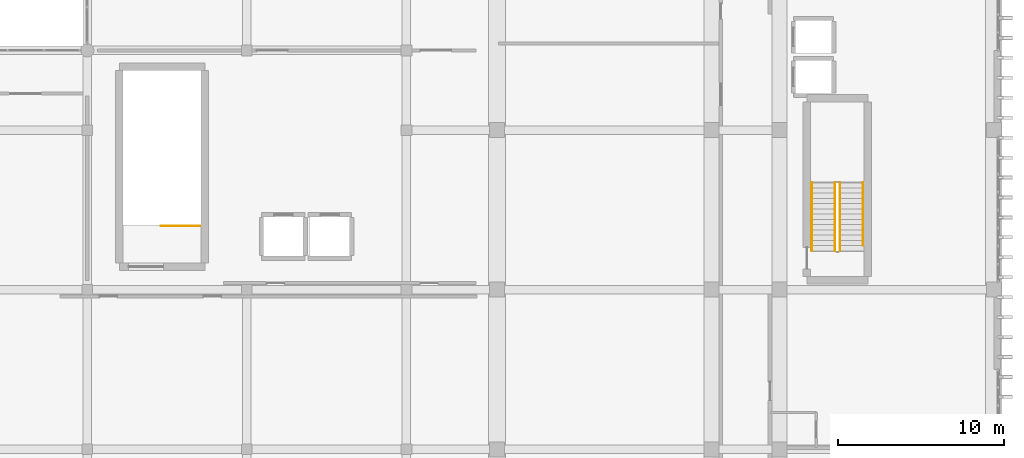
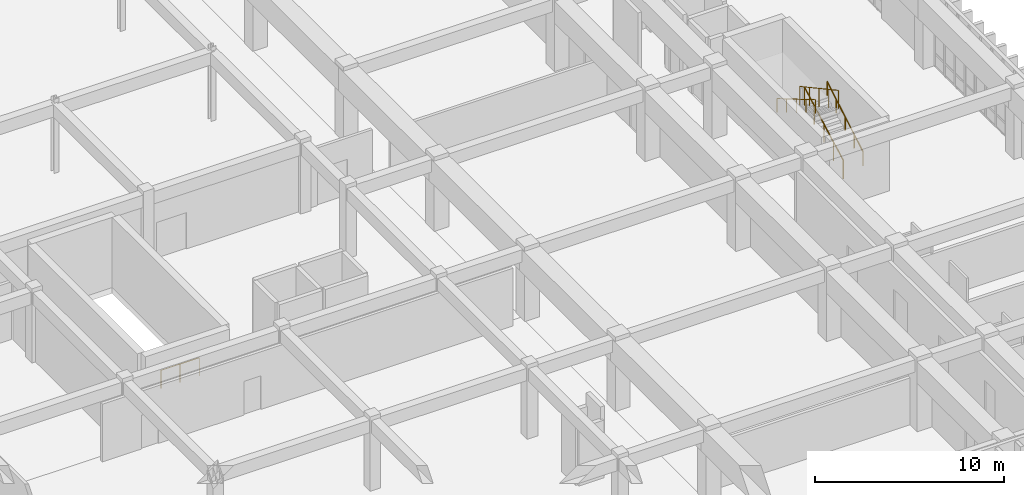
# One storey, part 95 of 101: 5 railings.
"""IFC4 building model written with IfcOpenShell, lengths in metres."""

from ifc_helpers import new_model, si_unit, direction, frame, origin, origin_2d, place, context, subcontext, project, spatial, circle, extrude, material, type_object, element, save


model = new_model("IFC4")

# Units and contexts
model_context = context("Model", 3, precision=1e-05, world=origin(), true_north=direction((0.0, 1.0)))
body_context = subcontext(model_context, "Body", "Model", "MODEL_VIEW")
ifc_project = project(units=[si_unit("LENGTHUNIT", "METRE"), si_unit("AREAUNIT", "SQUARE_METRE"), si_unit("VOLUMEUNIT", "CUBIC_METRE"), si_unit("PLANEANGLEUNIT", "RADIAN"), si_unit("MASSUNIT", "GRAM", prefix="KILO")], contexts=[model_context])

# Site, building, storey
site_placement = place(None, origin())
site = spatial("IfcSite", under=ifc_project, at=site_placement, CompositionType="ELEMENT")
building_placement = place(site_placement, origin())
building = spatial("IfcBuilding", under=site, at=building_placement, Name="Nakhvara Creek Congress Hotel", CompositionType="ELEMENT")
storey_placement = place(building_placement, frame((0.0, 0.0, 16.199951171875)))
storey = spatial("IfcBuildingStorey", under=building, at=storey_placement, Name="L03", CompositionType="ELEMENT", Elevation=16.199951171875)

# Railings
ifc_material = material(Name="Brushed stainless steel 316L", Category="steel")
railing_type_1 = type_object("IfcRailingType", Name="RL-GUARD-1200", PredefinedType="GUARDRAIL", material=ifc_material)
railing_1_placement = place(storey_placement, frame((170.0849609375, 31.139892578125, 0.17138671875)))
element("IfcRailing", 1, at=railing_1_placement, inside=storey, type_object=railing_type_1, Name="L03 ST03 stair guard 1", PredefinedType="GUARDRAIL", context=body_context, shape_type="SweptSolid", body=[
    extrude(circle(Radius=0.02392578125, at=origin_2d()), frame((0.0, 0.012939453125, 1.182861328125), z_axis=(0.0, 0.878345444265, 0.478026443347), x_axis=(-1.0, 0.0, 0.0)), (0.0, 0.0, 1.0), 4.633056640625),
    extrude(circle(Radius=0.02099609375, at=origin_2d()), origin(), (0.0, 0.0, 1.0), 1.1806640625),
    extrude(circle(Radius=0.02099609375, at=origin_2d()), frame((0.0, 1.02392578125, 0.55712890625)), (0.0, 0.0, 1.0), 1.1806640625),
    extrude(circle(Radius=0.02099609375, at=origin_2d()), frame((0.0, 2.047607421875, 1.1142578125)), (0.0, 0.0, 1.0), 1.1806640625),
    extrude(circle(Radius=0.02099609375, at=origin_2d()), frame((0.0, 3.0712890625, 1.671630859375)), (0.0, 0.0, 1.0), 1.1806640625),
    extrude(circle(Radius=0.02099609375, at=origin_2d()), frame((0.0, 4.09521484375, 2.228759765625)), (0.0, 0.0, 1.0), 1.1806640625),
])
railing_2_placement = place(storey_placement, frame((169.784912109375, 35.235107421875, 2.571533203125)))
element("IfcRailing", 2, at=railing_2_placement, inside=storey, type_object=railing_type_1, Name="L03 ST03 stair guard 3", PredefinedType="GUARDRAIL", context=body_context, shape_type="SweptSolid", body=[
    extrude(circle(Radius=0.02392578125, at=origin_2d()), frame((0.0, -0.012939453125, 1.182861328125), z_axis=(0.0, -0.878367429875, 0.477986043871), x_axis=(1.0, 0.0, 0.0)), (0.0, 0.0, 1.0), 4.6328125),
    extrude(circle(Radius=0.02099609375, at=origin_2d()), origin(), (0.0, 0.0, 1.0), 1.1806640625),
    extrude(circle(Radius=0.02099609375, at=origin_2d()), frame((0.0, -1.02392578125, 0.55712890625)), (0.0, 0.0, 1.0), 1.1806640625),
    extrude(circle(Radius=0.02099609375, at=origin_2d()), frame((0.0, -2.047607421875, 1.1142578125)), (0.0, 0.0, 1.0), 1.1806640625),
    extrude(circle(Radius=0.02099609375, at=origin_2d()), frame((0.0, -3.0712890625, 1.67138671875)), (0.0, 0.0, 1.0), 1.1806640625),
    extrude(circle(Radius=0.02099609375, at=origin_2d()), frame((0.0, -4.09521484375, 2.228515625)), (0.0, 0.0, 1.0), 1.1806640625),
])
railing_3_placement = place(storey_placement, frame((131.570068359375, 32.6298828125, 0.0)))
element("IfcRailing", 3, at=railing_3_placement, inside=storey, type_object=railing_type_1, Name="L03 ST06 top well guard 1", PredefinedType="GUARDRAIL", context=body_context, shape_type="SweptSolid", body=[
    extrude(circle(Radius=0.02392578125, at=origin_2d()), frame((-0.0146484375, 0.0, 1.17578125), z_axis=(-1.0, 0.0, 0.0), x_axis=(0.0, -1.0, 0.0)), (0.0, 0.0, 1.0), 2.310791015625),
    extrude(circle(Radius=0.02099609375, at=origin_2d()), origin(), (0.0, 0.0, 1.0), 1.1806640625),
    extrude(circle(Radius=0.02099609375, at=origin_2d()), frame((-1.169921875, 0.0, 0.0)), (0.0, 0.0, 1.0), 1.1806640625),
    extrude(circle(Radius=0.02099609375, at=origin_2d()), frame((-2.340087890625, 0.0, 0.0)), (0.0, 0.0, 1.0), 1.1806640625),
])
railing_type_2 = type_object("IfcRailingType", Name="RL-HAND-900", PredefinedType="HANDRAIL", material=ifc_material)
railing_4_placement = place(storey_placement, frame((171.47509765625, 31.455078125, 0.343017578125)))
element("IfcRailing", 4, at=railing_4_placement, inside=storey, type_object=railing_type_2, Name="L03 ST03 stair handrail 1", PredefinedType="HANDRAIL", context=body_context, shape_type="SweptSolid", body=[
    extrude(circle(Radius=0.02392578125, at=origin_2d()), frame((0.0, 0.0126953125, 0.88330078125), z_axis=(0.0, 0.860342978037, 0.509715567883), x_axis=(-1.0, 0.0, 0.0)), (0.0, 0.0, 1.0), 4.3642578125),
    extrude(circle(Radius=0.02099609375, at=origin_2d()), origin(), (0.0, 0.0, 1.0), 0.880615234375),
    extrude(circle(Radius=0.02099609375, at=origin_2d()), frame((0.0, 0.945068359375, 0.559814453125)), (0.0, 0.0, 1.0), 0.880615234375),
    extrude(circle(Radius=0.02099609375, at=origin_2d()), frame((0.0, 1.89013671875, 1.11962890625)), (0.0, 0.0, 1.0), 0.880615234375),
    extrude(circle(Radius=0.02099609375, at=origin_2d()), frame((0.0, 2.8349609375, 1.6796875)), (0.0, 0.0, 1.0), 0.880615234375),
    extrude(circle(Radius=0.02099609375, at=origin_2d()), frame((0.0, 3.780029296875, 2.239501953125)), (0.0, 0.0, 1.0), 0.880615234375),
])
railing_5_placement = place(storey_placement, frame((168.39501953125, 35.235107421875, 2.571533203125)))
element("IfcRailing", 5, at=railing_5_placement, inside=storey, type_object=railing_type_2, Name="L03 ST03 stair handrail 2", PredefinedType="HANDRAIL", context=body_context, shape_type="SweptSolid", body=[
    extrude(circle(Radius=0.02392578125, at=origin_2d()), frame((0.0, -0.0126953125, 0.88330078125), z_axis=(0.0, -0.861755869898, 0.507323191561), x_axis=(1.0, 0.0, 0.0)), (0.0, 0.0, 1.0), 4.722900390625),
    extrude(circle(Radius=0.02099609375, at=origin_2d()), origin(), (0.0, 0.0, 1.0), 0.880615234375),
    extrude(circle(Radius=0.02099609375, at=origin_2d()), frame((0.0, -1.02392578125, 0.602783203125)), (0.0, 0.0, 1.0), 0.880615234375),
    extrude(circle(Radius=0.02099609375, at=origin_2d()), frame((0.0, -2.047607421875, 1.20556640625)), (0.0, 0.0, 1.0), 0.880615234375),
    extrude(circle(Radius=0.02099609375, at=origin_2d()), frame((0.0, -3.0712890625, 1.80810546875)), (0.0, 0.0, 1.0), 0.880615234375),
    extrude(circle(Radius=0.02099609375, at=origin_2d()), frame((0.0, -4.09521484375, 2.410888671875)), (0.0, 0.0, 1.0), 0.880615234375),
])

save(model, "model.ifc")
